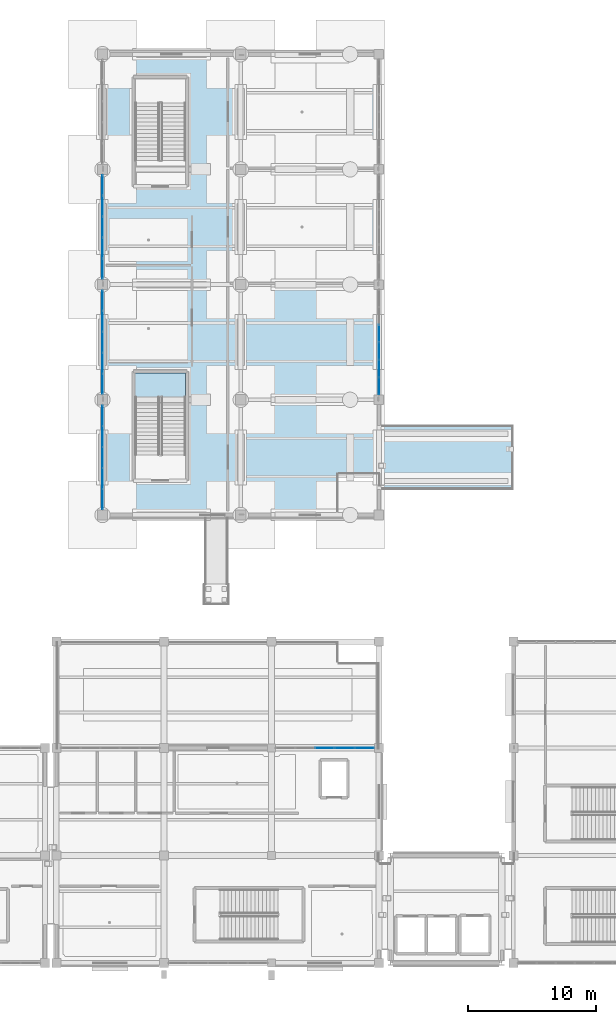
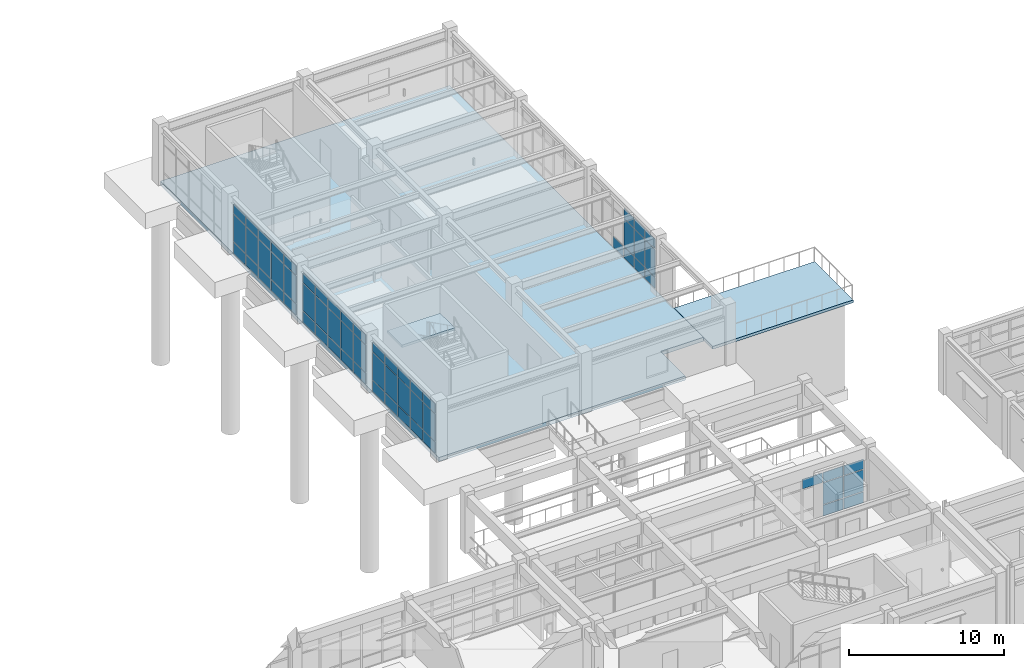
# One storey, part 71 of 98: 62 plates, 3 slabs, 6 elements without a shape of their own.
"""IFC4 building model written with IfcOpenShell, lengths in metres."""

from ifc_helpers import new_model, si_unit, direction, frame, origin, origin_2d, place, context, subcontext, project, spatial, polyline, rectangle, outline, extrude, material, layer, layer_set, type_object, element, aggregate, save


model = new_model("IFC4")

# Units and contexts
model_context = context("Model", 3, precision=1e-05, world=origin(), true_north=direction((0.0, 1.0)))
body_context = subcontext(model_context, "Body", "Model", "MODEL_VIEW")
ifc_project = project(units=[si_unit("LENGTHUNIT", "METRE"), si_unit("AREAUNIT", "SQUARE_METRE"), si_unit("VOLUMEUNIT", "CUBIC_METRE"), si_unit("PLANEANGLEUNIT", "RADIAN"), si_unit("MASSUNIT", "GRAM", prefix="KILO")], contexts=[model_context])

# Site, building, storey
site_placement = place(None, origin())
site = spatial("IfcSite", under=ifc_project, at=site_placement, CompositionType="ELEMENT")
building_placement = place(site_placement, origin())
building = spatial("IfcBuilding", under=site, at=building_placement, Name="Canglan Escarpment Cableway Terminal", CompositionType="ELEMENT")
storey_placement = place(building_placement, frame((0.0, 0.0, 9.60009765625)))
storey = spatial("IfcBuildingStorey", under=building, at=storey_placement, Name="L02", CompositionType="ELEMENT", Elevation=9.60009765625)

# Curtain wall, plates
ifc_material_1 = material(Name="Anodized bronze aluminium and Low-E double glazing", Category="aluminium")
curtain_wall_type_1 = type_object("IfcCurtainWallType", Name="CW-BAY-8200x4025", PredefinedType="NOTDEFINED", material=ifc_material_1)
curtain_wall_1_placement = place(storey_placement, origin())
curtain_wall_1 = element("IfcCurtainWall", 1, at=curtain_wall_1_placement, inside=storey, type_object=curtain_wall_type_1, Name="Classical bay-between-piers glazed curtain wall CW-44", PredefinedType="NOTDEFINED")
ifc_material_2 = material(Name="Double-silver Low-E laminated insulating glass", Category="glass")
ifc_layer_1 = layer(ifc_material_2, 0.028076171875, Name="Double-silver Low-E laminated insulating glass")
ifc_layer_set_1 = layer_set([ifc_layer_1], Name="Double-silver Low-E laminated insulating glass")
plate_type_1 = type_object("IfcPlateType", Name="CWP-02", PredefinedType="CURTAIN_PANEL", material=ifc_layer_set_1)
plate_1_placement = place(storey_placement, frame((115.10009765625, 50.764892578125, 0.05517578125), z_axis=(0.0, 0.0, 1.0), x_axis=(0.0, -1.0, 0.0)))
plate_1 = element("IfcPlate", 2, at=plate_1_placement, type_object=plate_type_1, Name="CW-44 panel 1.1", PredefinedType="CURTAIN_PANEL", context=body_context, shape_type="SweptSolid", body=[
    extrude(rectangle(XDim=1.550048828125, YDim=0.028076171875, at=origin_2d()), origin(), (0.0, 0.0, 1.0), 0.867431640625),
])
plate_2_placement = place(storey_placement, frame((115.10009765625, 50.764892578125, 0.977294921875), z_axis=(0.0, 0.0, 1.0), x_axis=(0.0, -1.0, 0.0)))
plate_2 = element("IfcPlate", 3, at=plate_2_placement, type_object=plate_type_1, Name="CW-44 panel 1.2", PredefinedType="CURTAIN_PANEL", context=body_context, shape_type="SweptSolid", body=[
    extrude(rectangle(XDim=1.550048828125, YDim=0.028076171875, at=origin_2d()), origin(), (0.0, 0.0, 1.0), 2.162109375),
])
plate_3_placement = place(storey_placement, frame((115.10009765625, 50.764892578125, 3.1943359375), z_axis=(0.0, 0.0, 1.0), x_axis=(0.0, -1.0, 0.0)))
plate_3 = element("IfcPlate", 4, at=plate_3_placement, type_object=plate_type_1, Name="CW-44 panel 1.3", PredefinedType="CURTAIN_PANEL", context=body_context, shape_type="SweptSolid", body=[
    extrude(rectangle(XDim=1.550048828125, YDim=0.028076171875, at=origin_2d()), origin(), (0.0, 0.0, 1.0), 0.767578125),
])
plate_4_placement = place(storey_placement, frame((115.10009765625, 49.139892578125, 0.05517578125), z_axis=(0.0, 0.0, 1.0), x_axis=(0.0, -1.0, 0.0)))
plate_4 = element("IfcPlate", 5, at=plate_4_placement, type_object=plate_type_1, Name="CW-44 panel 2.1", PredefinedType="CURTAIN_PANEL", context=body_context, shape_type="SweptSolid", body=[
    extrude(rectangle(XDim=1.580078125, YDim=0.028076171875, at=origin_2d()), origin(), (0.0, 0.0, 1.0), 0.867431640625),
])
plate_5_placement = place(storey_placement, frame((115.10009765625, 49.139892578125, 0.977294921875), z_axis=(0.0, 0.0, 1.0), x_axis=(0.0, -1.0, 0.0)))
plate_5 = element("IfcPlate", 6, at=plate_5_placement, type_object=plate_type_1, Name="CW-44 panel 2.2", PredefinedType="CURTAIN_PANEL", context=body_context, shape_type="SweptSolid", body=[
    extrude(rectangle(XDim=1.580078125, YDim=0.028076171875, at=origin_2d()), origin(), (0.0, 0.0, 1.0), 2.162109375),
])
plate_6_placement = place(storey_placement, frame((115.10009765625, 49.139892578125, 3.1943359375), z_axis=(0.0, 0.0, 1.0), x_axis=(0.0, -1.0, 0.0)))
plate_6 = element("IfcPlate", 7, at=plate_6_placement, type_object=plate_type_1, Name="CW-44 panel 2.3", PredefinedType="CURTAIN_PANEL", context=body_context, shape_type="SweptSolid", body=[
    extrude(rectangle(XDim=1.580078125, YDim=0.028076171875, at=origin_2d()), origin(), (0.0, 0.0, 1.0), 0.767578125),
])
plate_7_placement = place(storey_placement, frame((115.10009765625, 47.5, 0.05517578125), z_axis=(0.0, 0.0, 1.0), x_axis=(0.0, -1.0, 0.0)))
plate_7 = element("IfcPlate", 8, at=plate_7_placement, type_object=plate_type_1, Name="CW-44 panel 3.1", PredefinedType="CURTAIN_PANEL", context=body_context, shape_type="SweptSolid", body=[
    extrude(rectangle(XDim=1.580078125, YDim=0.028076171875, at=origin_2d()), origin(), (0.0, 0.0, 1.0), 0.867431640625),
])
plate_8_placement = place(storey_placement, frame((115.10009765625, 47.5, 0.977294921875), z_axis=(0.0, 0.0, 1.0), x_axis=(0.0, -1.0, 0.0)))
plate_8 = element("IfcPlate", 9, at=plate_8_placement, type_object=plate_type_1, Name="CW-44 panel 3.2", PredefinedType="CURTAIN_PANEL", context=body_context, shape_type="SweptSolid", body=[
    extrude(rectangle(XDim=1.580078125, YDim=0.028076171875, at=origin_2d()), origin(), (0.0, 0.0, 1.0), 2.162109375),
])
plate_9_placement = place(storey_placement, frame((115.10009765625, 47.5, 3.1943359375), z_axis=(0.0, 0.0, 1.0), x_axis=(0.0, -1.0, 0.0)))
plate_9 = element("IfcPlate", 10, at=plate_9_placement, type_object=plate_type_1, Name="CW-44 panel 3.3", PredefinedType="CURTAIN_PANEL", context=body_context, shape_type="SweptSolid", body=[
    extrude(rectangle(XDim=1.580078125, YDim=0.028076171875, at=origin_2d()), origin(), (0.0, 0.0, 1.0), 0.767578125),
])
plate_10_placement = place(storey_placement, frame((115.10009765625, 45.860107421875, 0.05517578125), z_axis=(0.0, 0.0, 1.0), x_axis=(0.0, -1.0, 0.0)))
plate_10 = element("IfcPlate", 11, at=plate_10_placement, type_object=plate_type_1, Name="CW-44 panel 4.1", PredefinedType="CURTAIN_PANEL", context=body_context, shape_type="SweptSolid", body=[
    extrude(rectangle(XDim=1.580078125, YDim=0.028076171875, at=origin_2d()), origin(), (0.0, 0.0, 1.0), 0.867431640625),
])
plate_11_placement = place(storey_placement, frame((115.10009765625, 45.860107421875, 0.977294921875), z_axis=(0.0, 0.0, 1.0), x_axis=(0.0, -1.0, 0.0)))
plate_11 = element("IfcPlate", 12, at=plate_11_placement, type_object=plate_type_1, Name="CW-44 panel 4.2", PredefinedType="CURTAIN_PANEL", context=body_context, shape_type="SweptSolid", body=[
    extrude(rectangle(XDim=1.580078125, YDim=0.028076171875, at=origin_2d()), origin(), (0.0, 0.0, 1.0), 2.162109375),
])
plate_12_placement = place(storey_placement, frame((115.10009765625, 45.860107421875, 3.1943359375), z_axis=(0.0, 0.0, 1.0), x_axis=(0.0, -1.0, 0.0)))
plate_12 = element("IfcPlate", 13, at=plate_12_placement, type_object=plate_type_1, Name="CW-44 panel 4.3", PredefinedType="CURTAIN_PANEL", context=body_context, shape_type="SweptSolid", body=[
    extrude(rectangle(XDim=1.580078125, YDim=0.028076171875, at=origin_2d()), origin(), (0.0, 0.0, 1.0), 0.767578125),
])
plate_13_placement = place(storey_placement, frame((115.10009765625, 44.235107421875, 0.05517578125), z_axis=(0.0, 0.0, 1.0), x_axis=(0.0, -1.0, 0.0)))
plate_13 = element("IfcPlate", 14, at=plate_13_placement, type_object=plate_type_1, Name="CW-44 panel 5.1", PredefinedType="CURTAIN_PANEL", context=body_context, shape_type="SweptSolid", body=[
    extrude(rectangle(XDim=1.550048828125, YDim=0.028076171875, at=origin_2d()), origin(), (0.0, 0.0, 1.0), 0.867431640625),
])
plate_14_placement = place(storey_placement, frame((115.10009765625, 44.235107421875, 0.977294921875), z_axis=(0.0, 0.0, 1.0), x_axis=(0.0, -1.0, 0.0)))
plate_14 = element("IfcPlate", 15, at=plate_14_placement, type_object=plate_type_1, Name="CW-44 panel 5.2", PredefinedType="CURTAIN_PANEL", context=body_context, shape_type="SweptSolid", body=[
    extrude(rectangle(XDim=1.550048828125, YDim=0.028076171875, at=origin_2d()), origin(), (0.0, 0.0, 1.0), 2.162109375),
])
plate_15_placement = place(storey_placement, frame((115.10009765625, 44.235107421875, 3.1943359375), z_axis=(0.0, 0.0, 1.0), x_axis=(0.0, -1.0, 0.0)))
plate_15 = element("IfcPlate", 16, at=plate_15_placement, type_object=plate_type_1, Name="CW-44 panel 5.3", PredefinedType="CURTAIN_PANEL", context=body_context, shape_type="SweptSolid", body=[
    extrude(rectangle(XDim=1.550048828125, YDim=0.028076171875, at=origin_2d()), origin(), (0.0, 0.0, 1.0), 0.767578125),
])
aggregate(curtain_wall_1, [plate_1, plate_2, plate_3, plate_4, plate_5, plate_6, plate_7, plate_8, plate_9, plate_10, plate_11, plate_12, plate_13, plate_14, plate_15])

curtain_wall_type_2 = type_object("IfcCurtainWallType", Name="CW-BAY-8250x4025", PredefinedType="NOTDEFINED", material=ifc_material_1)
curtain_wall_2_placement = place(storey_placement, origin())
curtain_wall_2 = element("IfcCurtainWall", 17, at=curtain_wall_2_placement, inside=storey, type_object=curtain_wall_type_2, Name="Classical bay-between-piers glazed curtain wall CW-43", PredefinedType="NOTDEFINED")
ifc_layer_2 = layer(ifc_material_2, 0.031982421875, Name="Double-silver Low-E laminated insulating glass")
ifc_layer_set_2 = layer_set([ifc_layer_2], Name="Double-silver Low-E laminated insulating glass")
plate_type_2 = type_object("IfcPlateType", Name="CWP-03", PredefinedType="CURTAIN_PANEL", material=ifc_layer_set_2)
plate_16_placement = place(storey_placement, frame((136.699951171875, 53.078857421875, 0.06005859375), z_axis=(0.0, 0.0, 1.0), x_axis=(0.0, 1.0, 0.0)))
plate_16 = element("IfcPlate", 18, at=plate_16_placement, type_object=plate_type_2, Name="CW-43 panel 1.1", PredefinedType="CURTAIN_PANEL", context=body_context, shape_type="SweptSolid", body=[
    extrude(rectangle(XDim=1.277587890625, YDim=0.031982421875, at=origin_2d()), origin(), (0.0, 0.0, 1.0), 0.860107421875),
])
plate_17_placement = place(storey_placement, frame((136.699951171875, 53.078857421875, 0.97998046875), z_axis=(0.0, 0.0, 1.0), x_axis=(0.0, 1.0, 0.0)))
plate_17 = element("IfcPlate", 19, at=plate_17_placement, type_object=plate_type_2, Name="CW-43 panel 1.2", PredefinedType="CURTAIN_PANEL", context=body_context, shape_type="SweptSolid", body=[
    extrude(rectangle(XDim=1.277587890625, YDim=0.031982421875, at=origin_2d()), origin(), (0.0, 0.0, 1.0), 2.156982421875),
])
plate_18_placement = place(storey_placement, frame((136.699951171875, 53.078857421875, 3.19677734375), z_axis=(0.0, 0.0, 1.0), x_axis=(0.0, 1.0, 0.0)))
plate_18 = element("IfcPlate", 20, at=plate_18_placement, type_object=plate_type_2, Name="CW-43 panel 1.3", PredefinedType="CURTAIN_PANEL", context=body_context, shape_type="SweptSolid", body=[
    extrude(rectangle(XDim=1.277587890625, YDim=0.031982421875, at=origin_2d()), origin(), (0.0, 0.0, 1.0), 0.760009765625),
])
plate_19_placement = place(storey_placement, frame((136.699951171875, 54.4375, 0.06005859375), z_axis=(0.0, 0.0, 1.0), x_axis=(0.0, 1.0, 0.0)))
plate_19 = element("IfcPlate", 21, at=plate_19_placement, type_object=plate_type_2, Name="CW-43 panel 2.1", PredefinedType="CURTAIN_PANEL", context=body_context, shape_type="SweptSolid", body=[
    extrude(rectangle(XDim=1.31005859375, YDim=0.031982421875, at=origin_2d()), origin(), (0.0, 0.0, 1.0), 0.860107421875),
])
plate_20_placement = place(storey_placement, frame((136.699951171875, 54.4375, 0.97998046875), z_axis=(0.0, 0.0, 1.0), x_axis=(0.0, 1.0, 0.0)))
plate_20 = element("IfcPlate", 22, at=plate_20_placement, type_object=plate_type_2, Name="CW-43 panel 2.2", PredefinedType="CURTAIN_PANEL", context=body_context, shape_type="SweptSolid", body=[
    extrude(rectangle(XDim=1.31005859375, YDim=0.031982421875, at=origin_2d()), origin(), (0.0, 0.0, 1.0), 2.156982421875),
])
plate_21_placement = place(storey_placement, frame((136.699951171875, 54.4375, 3.19677734375), z_axis=(0.0, 0.0, 1.0), x_axis=(0.0, 1.0, 0.0)))
plate_21 = element("IfcPlate", 23, at=plate_21_placement, type_object=plate_type_2, Name="CW-43 panel 2.3", PredefinedType="CURTAIN_PANEL", context=body_context, shape_type="SweptSolid", body=[
    extrude(rectangle(XDim=1.31005859375, YDim=0.031982421875, at=origin_2d()), origin(), (0.0, 0.0, 1.0), 0.760009765625),
])
plate_22_placement = place(storey_placement, frame((136.699951171875, 55.8125, 0.06005859375), z_axis=(0.0, 0.0, 1.0), x_axis=(0.0, 1.0, 0.0)))
plate_22 = element("IfcPlate", 24, at=plate_22_placement, type_object=plate_type_2, Name="CW-43 panel 3.1", PredefinedType="CURTAIN_PANEL", context=body_context, shape_type="SweptSolid", body=[
    extrude(rectangle(XDim=1.31005859375, YDim=0.031982421875, at=origin_2d()), origin(), (0.0, 0.0, 1.0), 0.860107421875),
])
plate_23_placement = place(storey_placement, frame((136.699951171875, 55.8125, 0.97998046875), z_axis=(0.0, 0.0, 1.0), x_axis=(0.0, 1.0, 0.0)))
plate_23 = element("IfcPlate", 25, at=plate_23_placement, type_object=plate_type_2, Name="CW-43 panel 3.2", PredefinedType="CURTAIN_PANEL", context=body_context, shape_type="SweptSolid", body=[
    extrude(rectangle(XDim=1.31005859375, YDim=0.031982421875, at=origin_2d()), origin(), (0.0, 0.0, 1.0), 2.156982421875),
])
plate_24_placement = place(storey_placement, frame((136.699951171875, 55.8125, 3.19677734375), z_axis=(0.0, 0.0, 1.0), x_axis=(0.0, 1.0, 0.0)))
plate_24 = element("IfcPlate", 26, at=plate_24_placement, type_object=plate_type_2, Name="CW-43 panel 3.3", PredefinedType="CURTAIN_PANEL", context=body_context, shape_type="SweptSolid", body=[
    extrude(rectangle(XDim=1.31005859375, YDim=0.031982421875, at=origin_2d()), origin(), (0.0, 0.0, 1.0), 0.760009765625),
])
plate_25_placement = place(storey_placement, frame((136.699951171875, 57.1875, 0.06005859375), z_axis=(0.0, 0.0, 1.0), x_axis=(0.0, 1.0, 0.0)))
plate_25 = element("IfcPlate", 27, at=plate_25_placement, type_object=plate_type_2, Name="CW-43 panel 4.1", PredefinedType="CURTAIN_PANEL", context=body_context, shape_type="SweptSolid", body=[
    extrude(rectangle(XDim=1.31005859375, YDim=0.031982421875, at=origin_2d()), origin(), (0.0, 0.0, 1.0), 0.860107421875),
])
aggregate(curtain_wall_2, [plate_16, plate_17, plate_18, plate_19, plate_20, plate_21, plate_22, plate_23, plate_24, plate_25])

curtain_wall_3_placement = place(storey_placement, origin())
curtain_wall_3 = element("IfcCurtainWall", 28, at=curtain_wall_3_placement, inside=storey, type_object=curtain_wall_type_1, Name="Classical bay-between-piers glazed curtain wall CW-44", PredefinedType="NOTDEFINED")
plate_26_placement = place(storey_placement, frame((115.10009765625, 59.763671875, 0.06005859375), z_axis=(0.0, 0.0, 1.0), x_axis=(0.0, -1.0, 0.0)))
plate_26 = element("IfcPlate", 29, at=plate_26_placement, type_object=plate_type_2, Name="CW-44 panel 1.1", PredefinedType="CURTAIN_PANEL", context=body_context, shape_type="SweptSolid", body=[
    extrude(rectangle(XDim=1.54248046875, YDim=0.031982421875, at=origin_2d()), origin(), (0.0, 0.0, 1.0), 0.860107421875),
])
plate_27_placement = place(storey_placement, frame((115.10009765625, 59.763671875, 0.97998046875), z_axis=(0.0, 0.0, 1.0), x_axis=(0.0, -1.0, 0.0)))
plate_27 = element("IfcPlate", 30, at=plate_27_placement, type_object=plate_type_2, Name="CW-44 panel 1.2", PredefinedType="CURTAIN_PANEL", context=body_context, shape_type="SweptSolid", body=[
    extrude(rectangle(XDim=1.54248046875, YDim=0.031982421875, at=origin_2d()), origin(), (0.0, 0.0, 1.0), 2.156982421875),
])
plate_28_placement = place(storey_placement, frame((115.10009765625, 59.763671875, 3.19677734375), z_axis=(0.0, 0.0, 1.0), x_axis=(0.0, -1.0, 0.0)))
plate_28 = element("IfcPlate", 31, at=plate_28_placement, type_object=plate_type_2, Name="CW-44 panel 1.3", PredefinedType="CURTAIN_PANEL", context=body_context, shape_type="SweptSolid", body=[
    extrude(rectangle(XDim=1.54248046875, YDim=0.031982421875, at=origin_2d()), origin(), (0.0, 0.0, 1.0), 0.760009765625),
])
plate_29_placement = place(storey_placement, frame((115.10009765625, 58.139892578125, 0.06005859375), z_axis=(0.0, 0.0, 1.0), x_axis=(0.0, -1.0, 0.0)))
plate_29 = element("IfcPlate", 32, at=plate_29_placement, type_object=plate_type_2, Name="CW-44 panel 2.1", PredefinedType="CURTAIN_PANEL", context=body_context, shape_type="SweptSolid", body=[
    extrude(rectangle(XDim=1.574951171875, YDim=0.031982421875, at=origin_2d()), origin(), (0.0, 0.0, 1.0), 0.860107421875),
])
plate_30_placement = place(storey_placement, frame((115.10009765625, 58.139892578125, 0.97998046875), z_axis=(0.0, 0.0, 1.0), x_axis=(0.0, -1.0, 0.0)))
plate_30 = element("IfcPlate", 33, at=plate_30_placement, type_object=plate_type_2, Name="CW-44 panel 2.2", PredefinedType="CURTAIN_PANEL", context=body_context, shape_type="SweptSolid", body=[
    extrude(rectangle(XDim=1.574951171875, YDim=0.031982421875, at=origin_2d()), origin(), (0.0, 0.0, 1.0), 2.156982421875),
])
plate_31_placement = place(storey_placement, frame((115.10009765625, 58.139892578125, 3.19677734375), z_axis=(0.0, 0.0, 1.0), x_axis=(0.0, -1.0, 0.0)))
plate_31 = element("IfcPlate", 34, at=plate_31_placement, type_object=plate_type_2, Name="CW-44 panel 2.3", PredefinedType="CURTAIN_PANEL", context=body_context, shape_type="SweptSolid", body=[
    extrude(rectangle(XDim=1.574951171875, YDim=0.031982421875, at=origin_2d()), origin(), (0.0, 0.0, 1.0), 0.760009765625),
])
plate_32_placement = place(storey_placement, frame((115.10009765625, 56.5, 0.06005859375), z_axis=(0.0, 0.0, 1.0), x_axis=(0.0, -1.0, 0.0)))
plate_32 = element("IfcPlate", 35, at=plate_32_placement, type_object=plate_type_2, Name="CW-44 panel 3.1", PredefinedType="CURTAIN_PANEL", context=body_context, shape_type="SweptSolid", body=[
    extrude(rectangle(XDim=1.574951171875, YDim=0.031982421875, at=origin_2d()), origin(), (0.0, 0.0, 1.0), 0.860107421875),
])
plate_33_placement = place(storey_placement, frame((115.10009765625, 56.5, 0.97998046875), z_axis=(0.0, 0.0, 1.0), x_axis=(0.0, -1.0, 0.0)))
plate_33 = element("IfcPlate", 36, at=plate_33_placement, type_object=plate_type_2, Name="CW-44 panel 3.2", PredefinedType="CURTAIN_PANEL", context=body_context, shape_type="SweptSolid", body=[
    extrude(rectangle(XDim=1.574951171875, YDim=0.031982421875, at=origin_2d()), origin(), (0.0, 0.0, 1.0), 2.156982421875),
])
plate_34_placement = place(storey_placement, frame((115.10009765625, 56.5, 3.19677734375), z_axis=(0.0, 0.0, 1.0), x_axis=(0.0, -1.0, 0.0)))
plate_34 = element("IfcPlate", 37, at=plate_34_placement, type_object=plate_type_2, Name="CW-44 panel 3.3", PredefinedType="CURTAIN_PANEL", context=body_context, shape_type="SweptSolid", body=[
    extrude(rectangle(XDim=1.574951171875, YDim=0.031982421875, at=origin_2d()), origin(), (0.0, 0.0, 1.0), 0.760009765625),
])
plate_35_placement = place(storey_placement, frame((115.10009765625, 54.860107421875, 0.06005859375), z_axis=(0.0, 0.0, 1.0), x_axis=(0.0, -1.0, 0.0)))
plate_35 = element("IfcPlate", 38, at=plate_35_placement, type_object=plate_type_2, Name="CW-44 panel 4.1", PredefinedType="CURTAIN_PANEL", context=body_context, shape_type="SweptSolid", body=[
    extrude(rectangle(XDim=1.574951171875, YDim=0.031982421875, at=origin_2d()), origin(), (0.0, 0.0, 1.0), 0.860107421875),
])
plate_36_placement = place(storey_placement, frame((115.10009765625, 54.860107421875, 0.97998046875), z_axis=(0.0, 0.0, 1.0), x_axis=(0.0, -1.0, 0.0)))
plate_36 = element("IfcPlate", 39, at=plate_36_placement, type_object=plate_type_2, Name="CW-44 panel 4.2", PredefinedType="CURTAIN_PANEL", context=body_context, shape_type="SweptSolid", body=[
    extrude(rectangle(XDim=1.574951171875, YDim=0.031982421875, at=origin_2d()), origin(), (0.0, 0.0, 1.0), 2.156982421875),
])
plate_37_placement = place(storey_placement, frame((115.10009765625, 54.860107421875, 3.19677734375), z_axis=(0.0, 0.0, 1.0), x_axis=(0.0, -1.0, 0.0)))
plate_37 = element("IfcPlate", 40, at=plate_37_placement, type_object=plate_type_2, Name="CW-44 panel 4.3", PredefinedType="CURTAIN_PANEL", context=body_context, shape_type="SweptSolid", body=[
    extrude(rectangle(XDim=1.574951171875, YDim=0.031982421875, at=origin_2d()), origin(), (0.0, 0.0, 1.0), 0.760009765625),
])
plate_38_placement = place(storey_placement, frame((115.10009765625, 53.236328125, 0.06005859375), z_axis=(0.0, 0.0, 1.0), x_axis=(0.0, -1.0, 0.0)))
plate_38 = element("IfcPlate", 41, at=plate_38_placement, type_object=plate_type_2, Name="CW-44 panel 5.1", PredefinedType="CURTAIN_PANEL", context=body_context, shape_type="SweptSolid", body=[
    extrude(rectangle(XDim=1.54248046875, YDim=0.031982421875, at=origin_2d()), origin(), (0.0, 0.0, 1.0), 0.860107421875),
])
plate_39_placement = place(storey_placement, frame((115.10009765625, 53.236328125, 0.97998046875), z_axis=(0.0, 0.0, 1.0), x_axis=(0.0, -1.0, 0.0)))
plate_39 = element("IfcPlate", 42, at=plate_39_placement, type_object=plate_type_2, Name="CW-44 panel 5.2", PredefinedType="CURTAIN_PANEL", context=body_context, shape_type="SweptSolid", body=[
    extrude(rectangle(XDim=1.54248046875, YDim=0.031982421875, at=origin_2d()), origin(), (0.0, 0.0, 1.0), 2.156982421875),
])
plate_40_placement = place(storey_placement, frame((115.10009765625, 53.236328125, 3.19677734375), z_axis=(0.0, 0.0, 1.0), x_axis=(0.0, -1.0, 0.0)))
plate_40 = element("IfcPlate", 43, at=plate_40_placement, type_object=plate_type_2, Name="CW-44 panel 5.3", PredefinedType="CURTAIN_PANEL", context=body_context, shape_type="SweptSolid", body=[
    extrude(rectangle(XDim=1.54248046875, YDim=0.031982421875, at=origin_2d()), origin(), (0.0, 0.0, 1.0), 0.760009765625),
])
aggregate(curtain_wall_3, [plate_26, plate_27, plate_28, plate_29, plate_30, plate_31, plate_32, plate_33, plate_34, plate_35, plate_36, plate_37, plate_38, plate_39, plate_40])

curtain_wall_type_3 = type_object("IfcCurtainWallType", Name="CW-BAY-7750x3550", PredefinedType="NOTDEFINED", material=ifc_material_1)
curtain_wall_4_placement = place(storey_placement, origin())
curtain_wall_4 = element("IfcCurtainWall", 44, at=curtain_wall_4_placement, inside=storey, type_object=curtain_wall_type_3, Name="Classical bay-between-piers glazed curtain wall CW-16", PredefinedType="NOTDEFINED")
ifc_layer_3 = layer(ifc_material_2, 0.035888671875, Name="Double-silver Low-E laminated insulating glass")
ifc_layer_set_3 = layer_set([ifc_layer_3], Name="Double-silver Low-E laminated insulating glass")
plate_type_3 = type_object("IfcPlateType", Name="CWP-04", PredefinedType="CURTAIN_PANEL", material=ifc_layer_set_3)
plate_41_placement = place(storey_placement, frame((135.558837890625, 24.800048828125, 0.06005859375), z_axis=(0.0, 0.0, 1.0), x_axis=(-1.0, 0.0, 0.0)))
plate_41 = element("IfcPlate", 45, at=plate_41_placement, type_object=plate_type_3, Name="CW-16 panel 1.1", PredefinedType="CURTAIN_PANEL", context=body_context, shape_type="SweptSolid", body=[
    extrude(rectangle(XDim=1.452392578125, YDim=0.035888671875, at=origin_2d()), origin(), (0.0, 0.0, 1.0), 0.860107421875),
])
plate_42_placement = place(storey_placement, frame((135.558837890625, 24.800048828125, 0.97998046875), z_axis=(0.0, 0.0, 1.0), x_axis=(-1.0, 0.0, 0.0)))
plate_42 = element("IfcPlate", 46, at=plate_42_placement, type_object=plate_type_3, Name="CW-16 panel 1.2", PredefinedType="CURTAIN_PANEL", context=body_context, shape_type="SweptSolid", body=[
    extrude(rectangle(XDim=1.452392578125, YDim=0.035888671875, at=origin_2d()), origin(), (0.0, 0.0, 1.0), 1.695068359375),
])
plate_43_placement = place(storey_placement, frame((135.558837890625, 24.800048828125, 2.73486328125), z_axis=(0.0, 0.0, 1.0), x_axis=(-1.0, 0.0, 0.0)))
plate_43 = element("IfcPlate", 47, at=plate_43_placement, type_object=plate_type_3, Name="CW-16 panel 1.3", PredefinedType="CURTAIN_PANEL", context=body_context, shape_type="SweptSolid", body=[
    extrude(rectangle(XDim=1.452392578125, YDim=0.035888671875, at=origin_2d()), origin(), (0.0, 0.0, 1.0), 0.760009765625),
])
plate_44_placement = place(storey_placement, frame((134.02490234375, 24.800048828125, 0.06005859375), z_axis=(0.0, 0.0, 1.0), x_axis=(-1.0, 0.0, 0.0)))
plate_44 = element("IfcPlate", 48, at=plate_44_placement, type_object=plate_type_3, Name="CW-16 panel 2.1", PredefinedType="CURTAIN_PANEL", context=body_context, shape_type="SweptSolid", body=[
    extrude(rectangle(XDim=1.485107421875, YDim=0.035888671875, at=origin_2d()), origin(), (0.0, 0.0, 1.0), 0.860107421875),
])
plate_45_placement = place(storey_placement, frame((134.02490234375, 24.800048828125, 0.97998046875), z_axis=(0.0, 0.0, 1.0), x_axis=(-1.0, 0.0, 0.0)))
plate_45 = element("IfcPlate", 49, at=plate_45_placement, type_object=plate_type_3, Name="CW-16 panel 2.2", PredefinedType="CURTAIN_PANEL", context=body_context, shape_type="SweptSolid", body=[
    extrude(rectangle(XDim=1.485107421875, YDim=0.035888671875, at=origin_2d()), origin(), (0.0, 0.0, 1.0), 1.695068359375),
])
plate_46_placement = place(storey_placement, frame((134.02490234375, 24.800048828125, 2.73486328125), z_axis=(0.0, 0.0, 1.0), x_axis=(-1.0, 0.0, 0.0)))
plate_46 = element("IfcPlate", 50, at=plate_46_placement, type_object=plate_type_3, Name="CW-16 panel 2.3", PredefinedType="CURTAIN_PANEL", context=body_context, shape_type="SweptSolid", body=[
    extrude(rectangle(XDim=1.485107421875, YDim=0.035888671875, at=origin_2d()), origin(), (0.0, 0.0, 1.0), 0.760009765625),
])
plate_47_placement = place(storey_placement, frame((132.47509765625, 24.800048828125, 2.73486328125), z_axis=(0.0, 0.0, 1.0), x_axis=(-1.0, 0.0, 0.0)))
plate_47 = element("IfcPlate", 51, at=plate_47_placement, type_object=plate_type_3, Name="CW-16 panel 3.3", PredefinedType="CURTAIN_PANEL", context=body_context, shape_type="SweptSolid", body=[
    extrude(rectangle(XDim=1.485107421875, YDim=0.035888671875, at=origin_2d()), origin(), (0.0, 0.0, 1.0), 0.760009765625),
])
aggregate(curtain_wall_4, [plate_41, plate_42, plate_43, plate_44, plate_45, plate_46, plate_47])

curtain_wall_5_placement = place(storey_placement, origin())
curtain_wall_5 = element("IfcCurtainWall", 52, at=curtain_wall_5_placement, inside=storey, type_object=curtain_wall_type_1, Name="Classical bay-between-piers glazed curtain wall CW-44", PredefinedType="NOTDEFINED")
plate_48_placement = place(storey_placement, frame((115.10009765625, 68.763671875, 0.06494140625), z_axis=(0.0, 0.0, 1.0), x_axis=(0.0, -1.0, 0.0)))
plate_48 = element("IfcPlate", 53, at=plate_48_placement, type_object=plate_type_3, Name="CW-44 panel 1.1", PredefinedType="CURTAIN_PANEL", context=body_context, shape_type="SweptSolid", body=[
    extrude(rectangle(XDim=1.54248046875, YDim=0.035888671875, at=origin_2d()), origin(), (0.0, 0.0, 1.0), 0.8525390625),
])
plate_49_placement = place(storey_placement, frame((115.10009765625, 68.763671875, 0.982421875), z_axis=(0.0, 0.0, 1.0), x_axis=(0.0, -1.0, 0.0)))
plate_49 = element("IfcPlate", 54, at=plate_49_placement, type_object=plate_type_3, Name="CW-44 panel 1.2", PredefinedType="CURTAIN_PANEL", context=body_context, shape_type="SweptSolid", body=[
    extrude(rectangle(XDim=1.54248046875, YDim=0.035888671875, at=origin_2d()), origin(), (0.0, 0.0, 1.0), 2.152099609375),
])
plate_50_placement = place(storey_placement, frame((115.10009765625, 68.763671875, 3.199462890625), z_axis=(0.0, 0.0, 1.0), x_axis=(0.0, -1.0, 0.0)))
plate_50 = element("IfcPlate", 55, at=plate_50_placement, type_object=plate_type_3, Name="CW-44 panel 1.3", PredefinedType="CURTAIN_PANEL", context=body_context, shape_type="SweptSolid", body=[
    extrude(rectangle(XDim=1.54248046875, YDim=0.035888671875, at=origin_2d()), origin(), (0.0, 0.0, 1.0), 0.75244140625),
])
plate_51_placement = place(storey_placement, frame((115.10009765625, 67.139892578125, 0.06494140625), z_axis=(0.0, 0.0, 1.0), x_axis=(0.0, -1.0, 0.0)))
plate_51 = element("IfcPlate", 56, at=plate_51_placement, type_object=plate_type_3, Name="CW-44 panel 2.1", PredefinedType="CURTAIN_PANEL", context=body_context, shape_type="SweptSolid", body=[
    extrude(rectangle(XDim=1.574951171875, YDim=0.035888671875, at=origin_2d()), origin(), (0.0, 0.0, 1.0), 0.8525390625),
])
plate_52_placement = place(storey_placement, frame((115.10009765625, 67.139892578125, 0.982421875), z_axis=(0.0, 0.0, 1.0), x_axis=(0.0, -1.0, 0.0)))
plate_52 = element("IfcPlate", 57, at=plate_52_placement, type_object=plate_type_3, Name="CW-44 panel 2.2", PredefinedType="CURTAIN_PANEL", context=body_context, shape_type="SweptSolid", body=[
    extrude(rectangle(XDim=1.574951171875, YDim=0.035888671875, at=origin_2d()), origin(), (0.0, 0.0, 1.0), 2.152099609375),
])
plate_53_placement = place(storey_placement, frame((115.10009765625, 67.139892578125, 3.199462890625), z_axis=(0.0, 0.0, 1.0), x_axis=(0.0, -1.0, 0.0)))
plate_53 = element("IfcPlate", 58, at=plate_53_placement, type_object=plate_type_3, Name="CW-44 panel 2.3", PredefinedType="CURTAIN_PANEL", context=body_context, shape_type="SweptSolid", body=[
    extrude(rectangle(XDim=1.574951171875, YDim=0.035888671875, at=origin_2d()), origin(), (0.0, 0.0, 1.0), 0.75244140625),
])
plate_54_placement = place(storey_placement, frame((115.10009765625, 65.5, 0.06494140625), z_axis=(0.0, 0.0, 1.0), x_axis=(0.0, -1.0, 0.0)))
plate_54 = element("IfcPlate", 59, at=plate_54_placement, type_object=plate_type_3, Name="CW-44 panel 3.1", PredefinedType="CURTAIN_PANEL", context=body_context, shape_type="SweptSolid", body=[
    extrude(rectangle(XDim=1.574951171875, YDim=0.035888671875, at=origin_2d()), origin(), (0.0, 0.0, 1.0), 0.8525390625),
])
plate_55_placement = place(storey_placement, frame((115.10009765625, 65.5, 0.982421875), z_axis=(0.0, 0.0, 1.0), x_axis=(0.0, -1.0, 0.0)))
plate_55 = element("IfcPlate", 60, at=plate_55_placement, type_object=plate_type_3, Name="CW-44 panel 3.2", PredefinedType="CURTAIN_PANEL", context=body_context, shape_type="SweptSolid", body=[
    extrude(rectangle(XDim=1.574951171875, YDim=0.035888671875, at=origin_2d()), origin(), (0.0, 0.0, 1.0), 2.152099609375),
])
plate_56_placement = place(storey_placement, frame((115.10009765625, 65.5, 3.199462890625), z_axis=(0.0, 0.0, 1.0), x_axis=(0.0, -1.0, 0.0)))
plate_56 = element("IfcPlate", 61, at=plate_56_placement, type_object=plate_type_3, Name="CW-44 panel 3.3", PredefinedType="CURTAIN_PANEL", context=body_context, shape_type="SweptSolid", body=[
    extrude(rectangle(XDim=1.574951171875, YDim=0.035888671875, at=origin_2d()), origin(), (0.0, 0.0, 1.0), 0.75244140625),
])
plate_57_placement = place(storey_placement, frame((115.10009765625, 63.860107421875, 0.06494140625), z_axis=(0.0, 0.0, 1.0), x_axis=(0.0, -1.0, 0.0)))
plate_57 = element("IfcPlate", 62, at=plate_57_placement, type_object=plate_type_3, Name="CW-44 panel 4.1", PredefinedType="CURTAIN_PANEL", context=body_context, shape_type="SweptSolid", body=[
    extrude(rectangle(XDim=1.574951171875, YDim=0.035888671875, at=origin_2d()), origin(), (0.0, 0.0, 1.0), 0.8525390625),
])
plate_58_placement = place(storey_placement, frame((115.10009765625, 63.860107421875, 0.982421875), z_axis=(0.0, 0.0, 1.0), x_axis=(0.0, -1.0, 0.0)))
plate_58 = element("IfcPlate", 63, at=plate_58_placement, type_object=plate_type_3, Name="CW-44 panel 4.2", PredefinedType="CURTAIN_PANEL", context=body_context, shape_type="SweptSolid", body=[
    extrude(rectangle(XDim=1.574951171875, YDim=0.035888671875, at=origin_2d()), origin(), (0.0, 0.0, 1.0), 2.152099609375),
])
plate_59_placement = place(storey_placement, frame((115.10009765625, 63.860107421875, 3.199462890625), z_axis=(0.0, 0.0, 1.0), x_axis=(0.0, -1.0, 0.0)))
plate_59 = element("IfcPlate", 64, at=plate_59_placement, type_object=plate_type_3, Name="CW-44 panel 4.3", PredefinedType="CURTAIN_PANEL", context=body_context, shape_type="SweptSolid", body=[
    extrude(rectangle(XDim=1.574951171875, YDim=0.035888671875, at=origin_2d()), origin(), (0.0, 0.0, 1.0), 0.75244140625),
])
plate_60_placement = place(storey_placement, frame((115.10009765625, 62.236328125, 0.06494140625), z_axis=(0.0, 0.0, 1.0), x_axis=(0.0, -1.0, 0.0)))
plate_60 = element("IfcPlate", 65, at=plate_60_placement, type_object=plate_type_3, Name="CW-44 panel 5.1", PredefinedType="CURTAIN_PANEL", context=body_context, shape_type="SweptSolid", body=[
    extrude(rectangle(XDim=1.54248046875, YDim=0.035888671875, at=origin_2d()), origin(), (0.0, 0.0, 1.0), 0.8525390625),
])
plate_61_placement = place(storey_placement, frame((115.10009765625, 62.236328125, 0.982421875), z_axis=(0.0, 0.0, 1.0), x_axis=(0.0, -1.0, 0.0)))
plate_61 = element("IfcPlate", 66, at=plate_61_placement, type_object=plate_type_3, Name="CW-44 panel 5.2", PredefinedType="CURTAIN_PANEL", context=body_context, shape_type="SweptSolid", body=[
    extrude(rectangle(XDim=1.54248046875, YDim=0.035888671875, at=origin_2d()), origin(), (0.0, 0.0, 1.0), 2.152099609375),
])
plate_62_placement = place(storey_placement, frame((115.10009765625, 62.236328125, 3.199462890625), z_axis=(0.0, 0.0, 1.0), x_axis=(0.0, -1.0, 0.0)))
plate_62 = element("IfcPlate", 67, at=plate_62_placement, type_object=plate_type_3, Name="CW-44 panel 5.3", PredefinedType="CURTAIN_PANEL", context=body_context, shape_type="SweptSolid", body=[
    extrude(rectangle(XDim=1.54248046875, YDim=0.035888671875, at=origin_2d()), origin(), (0.0, 0.0, 1.0), 0.75244140625),
])
aggregate(curtain_wall_5, [plate_48, plate_49, plate_50, plate_51, plate_52, plate_53, plate_54, plate_55, plate_56, plate_57, plate_58, plate_59, plate_60, plate_61, plate_62])

# Slabs
ifc_material_3 = material(Name="Concrete C40", Category="concrete")
ifc_layer_4 = layer(ifc_material_3, 0.320068359375, Name="Concrete C40")
ifc_layer_set_4 = layer_set([ifc_layer_4], Name="Concrete C40")
slab_type_1 = type_object("IfcSlabType", Name="SLB-BASE-320", PredefinedType="BASESLAB", material=ifc_layer_set_4)
slab_1_placement = place(storey_placement, frame((0.0, 0.0, -0.320068359375)))
element("IfcSlab", 68, at=slab_1_placement, inside=storey, type_object=slab_type_1, Name="Reinforced concrete base slab SB-01", PredefinedType="BASESLAB", context=body_context, shape_type="SweptSolid", body=[
    extrude(outline(polyline([(115.10009765625, 43.0), (133.5, 43.0), (133.5, 46.199951171875), (136.699951171875, 46.199951171875), (136.699951171875, 79.0), (115.10009765625, 79.0), (115.10009765625, 43.0)])), origin(), (0.0, 0.0, 1.0), 0.320068359375),
])
ifc_layer_5 = layer(ifc_material_3, 0.219970703125, Name="Concrete C40")
ifc_layer_set_5 = layer_set([ifc_layer_5], Name="Concrete C40")
slab_type_2 = type_object("IfcSlabType", Name="SLB-LINK-220", PredefinedType="FLOOR", material=ifc_layer_set_5)
slab_2_placement = place(storey_placement, frame((0.0, 0.0, -0.22021484375)))
element("IfcSlab", 69, at=slab_2_placement, inside=storey, type_object=slab_type_2, Name="Movement-joint concourse link slab MJ-S1", PredefinedType="FLOOR", context=body_context, shape_type="SweptSolid", body=[
    extrude(outline(polyline([(147.199951171875, 50.0), (147.199951171875, 45.0), (136.705078125, 45.0), (136.705078125, 50.0), (147.199951171875, 50.0)])), origin(), (0.0, 0.0, 1.0), 0.22021484375),
])

# Stair, slab
stair_type = type_object("IfcStairType", Name="STR-DOGLEG-1900", PredefinedType="HALF_TURN_STAIR", material=ifc_material_3)
stair_placement = place(storey_placement, origin())
stair = element("IfcStair", 70, at=stair_placement, inside=storey, type_object=stair_type, Name="L02 Protected Exit Stair ST-10", PredefinedType="HALF_TURN_STAIR")
ifc_layer_6 = layer(ifc_material_3, 0.199951171875, Name="Concrete C40")
ifc_layer_set_6 = layer_set([ifc_layer_6], Name="Concrete C40")
slab_type_3 = type_object("IfcSlabType", Name="SLB-STAIR-LAND-200", PredefinedType="LANDING", material=ifc_layer_set_6)
slab_3_placement = place(storey_placement, frame((0.0, 0.0, 2.199951171875)))
slab_3 = element("IfcSlab", 71, at=slab_3_placement, type_object=slab_type_3, Name="ST-10 landing 1", PredefinedType="LANDING", context=body_context, shape_type="SweptSolid", body=[
    extrude(outline(polyline([(121.60009765625, 52.199951171875), (121.60009765625, 54.10009765625), (117.64990234375, 54.10009765625), (117.64990234375, 52.199951171875), (121.60009765625, 52.199951171875)])), origin(), (0.0, 0.0, 1.0), 0.199951171875),
])
aggregate(stair, [slab_3])

save(model, "model.ifc")
